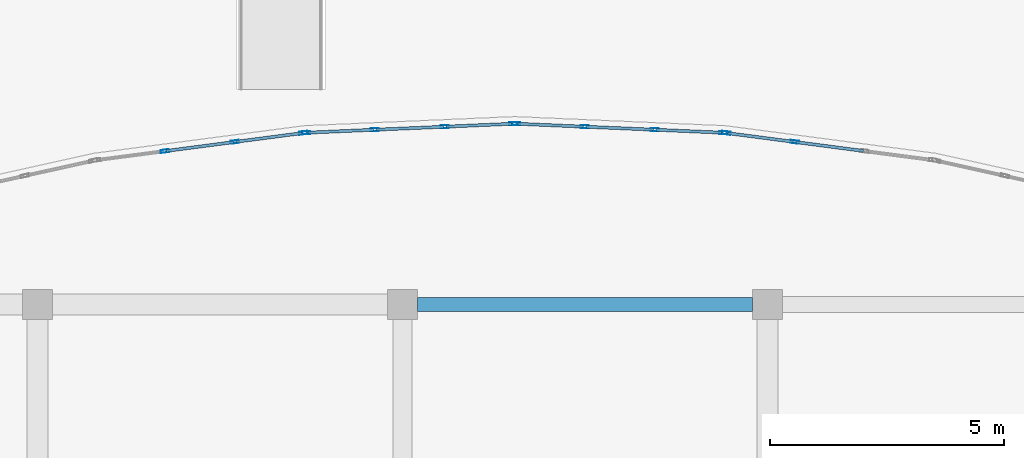
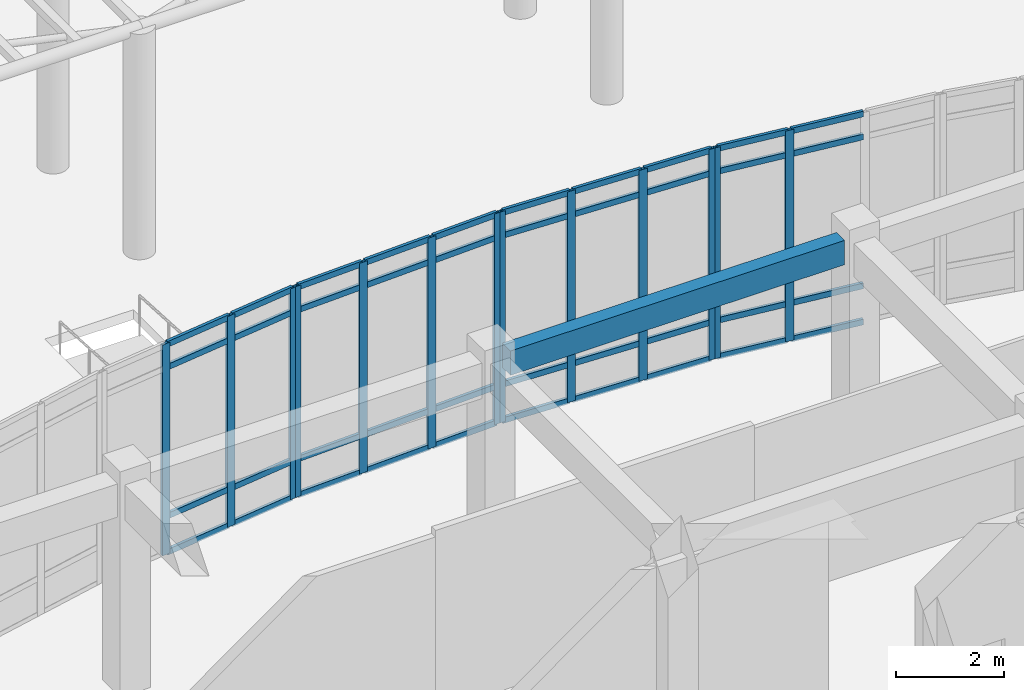
# One storey, part 32 of 121: 53 members, 1 beam, 4 elements without a shape of their own.
"""IFC4 building model written with IfcOpenShell, lengths in metres."""

from ifc_helpers import new_model, si_unit, direction, frame, origin, origin_2d, place, context, subcontext, project, spatial, rectangle, hollow_rectangle, extrude, material, layer, layer_set, material_profile, profile_set, type_object, element, aggregate, save


model = new_model("IFC4")

# Units and contexts
model_context = context("Model", 3, precision=1e-05, world=origin(), true_north=direction((0.0, 1.0)))
body_context = subcontext(model_context, "Body", "Model", "MODEL_VIEW")
ifc_project = project(units=[si_unit("LENGTHUNIT", "METRE"), si_unit("AREAUNIT", "SQUARE_METRE"), si_unit("VOLUMEUNIT", "CUBIC_METRE"), si_unit("PLANEANGLEUNIT", "RADIAN"), si_unit("MASSUNIT", "GRAM", prefix="KILO")], contexts=[model_context])

# Site, building, storey
site_placement = place(None, origin())
site = spatial("IfcSite", under=ifc_project, at=site_placement, CompositionType="ELEMENT")
building_placement = place(site_placement, origin())
building = spatial("IfcBuilding", under=site, at=building_placement, Name="Valcora Specialist Clinic", CompositionType="ELEMENT")
storey_placement = place(building_placement, origin())
storey = spatial("IfcBuildingStorey", under=building, at=storey_placement, Name="L00", CompositionType="ELEMENT", Elevation=0.0)

# Beam
ifc_material_1 = material(Name="Concrete C40/50", Category="concrete")
ifc_material_profile_1 = material_profile(ifc_material_1, rectangle(XDim=0.300048828125, YDim=0.550048828125, at=origin_2d()), Name="RC-BM-300X550")
ifc_profile_set_1 = profile_set([ifc_material_profile_1], Name="Concrete C40/50")
beam_type = type_object("IfcBeamType", Name="TY-BM-RC300X550", PredefinedType="BEAM", material=ifc_profile_set_1)
beam_placement = place(storey_placement, frame((84.925048828125, 22.0, 4.4951171875), z_axis=(1.0, 0.0, 0.0), x_axis=(0.0, 1.0, 0.0)))
element("IfcBeam", 1, at=beam_placement, inside=storey, type_object=beam_type, Name="Beam BM-L00-1255", PredefinedType="BEAM", context=body_context, shape_type="SweptSolid", body=[
    extrude(rectangle(XDim=0.300048828125, YDim=0.550048828125, at=origin_2d()), origin(), (0.0, 0.0, 1.0), 7.14990234375),
])

# Curtain wall, members
ifc_material_2 = material(Name="Anodized Bronze Aluminium 6063-T6", Category="aluminium")
ifc_layer = layer(ifc_material_2, 0.175048828125)
ifc_layer_set = layer_set([ifc_layer], Name="Anodized Bronze Aluminium 6063-T6")
curtain_wall_type = type_object("IfcCurtainWallType", Name="TY-CW-ARC51", PredefinedType="NOTDEFINED", material=ifc_layer_set)
curtain_wall_1_placement = place(storey_placement, origin())
curtain_wall_1 = element("IfcCurtainWall", 2, at=curtain_wall_1_placement, inside=storey, type_object=curtain_wall_type, Name="Curtain wall CW-L00-188", PredefinedType="NOTDEFINED")
ifc_material_profile_2 = material_profile(ifc_material_2, hollow_rectangle(XDim=0.06494140625, YDim=0.175048828125, WallThickness=0.00390625, at=origin_2d()), Name="AL-MUL-65X175")
ifc_profile_set_2 = profile_set([ifc_material_profile_2], Name="Anodized Bronze Aluminium 6063-T6")
member_type_1 = type_object("IfcMemberType", Name="TY-CWM-65X175", PredefinedType="MULLION", material=ifc_profile_set_2)
member_1_placement = place(storey_placement, frame((79.521728515625, 25.2783203125, 0.0), z_axis=(0.0, 0.0, 1.0), x_axis=(-0.129999492259, 0.991514060421, 0.0)))
member_1 = element("IfcMember", 3, at=member_1_placement, type_object=member_type_1, Name="CW-ARC-51 mullion 2", PredefinedType="MULLION", context=body_context, shape_type="SweptSolid", body=[
    extrude(hollow_rectangle(XDim=0.06494140625, YDim=0.175048828125, WallThickness=0.00390625, at=origin_2d()), origin(), (0.0, 0.0, 1.0), 4.77001953125),
])
member_2_placement = place(storey_placement, frame((81.017333984375, 25.474365234375, 0.0), z_axis=(0.0, 0.0, 1.0), x_axis=(-0.129999492259, 0.991514060421, 0.0)))
member_2 = element("IfcMember", 4, at=member_2_placement, type_object=member_type_1, Name="CW-ARC-51 mullion 3", PredefinedType="MULLION", context=body_context, shape_type="SweptSolid", body=[
    extrude(hollow_rectangle(XDim=0.06494140625, YDim=0.175048828125, WallThickness=0.00390625, at=origin_2d()), origin(), (0.0, 0.0, 1.0), 4.77001953125),
])
member_3_placement = place(storey_placement, frame((82.480712890625, 25.666259765625, 0.0), z_axis=(0.0, 0.0, 1.0), x_axis=(-0.129999492259, 0.991514060421, 0.0)))
member_3 = element("IfcMember", 5, at=member_3_placement, type_object=member_type_1, Name="CW-ARC-51 mullion 4", PredefinedType="MULLION", context=body_context, shape_type="SweptSolid", body=[
    extrude(hollow_rectangle(XDim=0.06494140625, YDim=0.175048828125, WallThickness=0.00390625, at=origin_2d()), origin(), (0.0, 0.0, 1.0), 4.77001953125),
])

curtain_wall_2_placement = place(storey_placement, origin())
curtain_wall_2 = element("IfcCurtainWall", 6, at=curtain_wall_2_placement, inside=storey, type_object=curtain_wall_type, Name="Curtain wall CW-L00-189", PredefinedType="NOTDEFINED")
member_4_placement = place(storey_placement, frame((82.54541015625, 25.671875, 0.0), z_axis=(0.0, 0.0, 1.0), x_axis=(-0.043306780525, 0.999061821291, 0.0)))
member_4 = element("IfcMember", 7, at=member_4_placement, type_object=member_type_1, Name="CW-ARC-51 mullion 1", PredefinedType="MULLION", context=body_context, shape_type="SweptSolid", body=[
    extrude(hollow_rectangle(XDim=0.06494140625, YDim=0.175048828125, WallThickness=0.00390625, at=origin_2d()), origin(), (0.0, 0.0, 1.0), 4.77001953125),
])
member_5_placement = place(storey_placement, frame((84.008544921875, 25.7353515625, 0.0), z_axis=(0.0, 0.0, 1.0), x_axis=(-0.043306780525, 0.999061821291, 0.0)))
member_5 = element("IfcMember", 8, at=member_5_placement, type_object=member_type_1, Name="CW-ARC-51 mullion 2", PredefinedType="MULLION", context=body_context, shape_type="SweptSolid", body=[
    extrude(hollow_rectangle(XDim=0.06494140625, YDim=0.175048828125, WallThickness=0.00390625, at=origin_2d()), origin(), (0.0, 0.0, 1.0), 4.77001953125),
])
member_6_placement = place(storey_placement, frame((85.50439453125, 25.800048828125, 0.0), z_axis=(0.0, 0.0, 1.0), x_axis=(-0.043306780525, 0.999061821291, 0.0)))
member_6 = element("IfcMember", 9, at=member_6_placement, type_object=member_type_1, Name="CW-ARC-51 mullion 3", PredefinedType="MULLION", context=body_context, shape_type="SweptSolid", body=[
    extrude(hollow_rectangle(XDim=0.06494140625, YDim=0.175048828125, WallThickness=0.00390625, at=origin_2d()), origin(), (0.0, 0.0, 1.0), 4.77001953125),
])
member_7_placement = place(storey_placement, frame((86.967529296875, 25.863525390625, 0.0), z_axis=(0.0, 0.0, 1.0), x_axis=(-0.043306780525, 0.999061821291, 0.0)))
member_7 = element("IfcMember", 10, at=member_7_placement, type_object=member_type_1, Name="CW-ARC-51 mullion 4", PredefinedType="MULLION", context=body_context, shape_type="SweptSolid", body=[
    extrude(hollow_rectangle(XDim=0.06494140625, YDim=0.175048828125, WallThickness=0.00390625, at=origin_2d()), origin(), (0.0, 0.0, 1.0), 4.77001953125),
])

curtain_wall_3_placement = place(storey_placement, origin())
curtain_wall_3 = element("IfcCurtainWall", 11, at=curtain_wall_3_placement, inside=storey, type_object=curtain_wall_type, Name="Curtain wall CW-L00-190", PredefinedType="NOTDEFINED")
member_8_placement = place(storey_placement, frame((87.032470703125, 25.863525390625, 0.0), z_axis=(0.0, 0.0, 1.0), x_axis=(0.043306780525, 0.999061821291, 0.0)))
member_8 = element("IfcMember", 12, at=member_8_placement, type_object=member_type_1, Name="CW-ARC-51 mullion 1", PredefinedType="MULLION", context=body_context, shape_type="SweptSolid", body=[
    extrude(hollow_rectangle(XDim=0.06494140625, YDim=0.175048828125, WallThickness=0.00390625, at=origin_2d()), origin(), (0.0, 0.0, 1.0), 4.77001953125),
])
member_9_placement = place(storey_placement, frame((88.49560546875, 25.800048828125, 0.0), z_axis=(0.0, 0.0, 1.0), x_axis=(0.043306780525, 0.999061821291, 0.0)))
member_9 = element("IfcMember", 13, at=member_9_placement, type_object=member_type_1, Name="CW-ARC-51 mullion 2", PredefinedType="MULLION", context=body_context, shape_type="SweptSolid", body=[
    extrude(hollow_rectangle(XDim=0.06494140625, YDim=0.175048828125, WallThickness=0.00390625, at=origin_2d()), origin(), (0.0, 0.0, 1.0), 4.77001953125),
])
member_10_placement = place(storey_placement, frame((89.991455078125, 25.7353515625, 0.0), z_axis=(0.0, 0.0, 1.0), x_axis=(0.043306780525, 0.999061821291, 0.0)))
member_10 = element("IfcMember", 14, at=member_10_placement, type_object=member_type_1, Name="CW-ARC-51 mullion 3", PredefinedType="MULLION", context=body_context, shape_type="SweptSolid", body=[
    extrude(hollow_rectangle(XDim=0.06494140625, YDim=0.175048828125, WallThickness=0.00390625, at=origin_2d()), origin(), (0.0, 0.0, 1.0), 4.77001953125),
])
member_11_placement = place(storey_placement, frame((91.45458984375, 25.671875, 0.0), z_axis=(0.0, 0.0, 1.0), x_axis=(0.043306780525, 0.999061821291, 0.0)))
member_11 = element("IfcMember", 15, at=member_11_placement, type_object=member_type_1, Name="CW-ARC-51 mullion 4", PredefinedType="MULLION", context=body_context, shape_type="SweptSolid", body=[
    extrude(hollow_rectangle(XDim=0.06494140625, YDim=0.175048828125, WallThickness=0.00390625, at=origin_2d()), origin(), (0.0, 0.0, 1.0), 4.77001953125),
])

curtain_wall_4_placement = place(storey_placement, origin())
curtain_wall_4 = element("IfcCurtainWall", 16, at=curtain_wall_4_placement, inside=storey, type_object=curtain_wall_type, Name="Curtain wall CW-L00-191", PredefinedType="NOTDEFINED")
member_12_placement = place(storey_placement, frame((91.519287109375, 25.666259765625, 0.0), z_axis=(0.0, 0.0, 1.0), x_axis=(0.129999492259, 0.991514060421, 0.0)))
member_12 = element("IfcMember", 17, at=member_12_placement, type_object=member_type_1, Name="CW-ARC-51 mullion 1", PredefinedType="MULLION", context=body_context, shape_type="SweptSolid", body=[
    extrude(hollow_rectangle(XDim=0.06494140625, YDim=0.175048828125, WallThickness=0.00390625, at=origin_2d()), origin(), (0.0, 0.0, 1.0), 4.77001953125),
])
member_13_placement = place(storey_placement, frame((92.982666015625, 25.474365234375, 0.0), z_axis=(0.0, 0.0, 1.0), x_axis=(0.129999492259, 0.991514060421, 0.0)))
member_13 = element("IfcMember", 18, at=member_13_placement, type_object=member_type_1, Name="CW-ARC-51 mullion 2", PredefinedType="MULLION", context=body_context, shape_type="SweptSolid", body=[
    extrude(hollow_rectangle(XDim=0.06494140625, YDim=0.175048828125, WallThickness=0.00390625, at=origin_2d()), origin(), (0.0, 0.0, 1.0), 4.77001953125),
])

# Member
ifc_material_profile_3 = material_profile(ifc_material_2, hollow_rectangle(XDim=0.06494140625, YDim=0.1298828125, WallThickness=0.00390625, at=origin_2d()), Name="AL-TRN-65X130")
ifc_profile_set_3 = profile_set([ifc_material_profile_3], Name="Anodized Bronze Aluminium 6063-T6")
member_type_2 = type_object("IfcMemberType", Name="TY-CWT-65X130", PredefinedType="USERDEFINED", material=ifc_profile_set_3)
member_14_placement = place(storey_placement, frame((79.553955078125, 25.282470703125, 0.032470703125), z_axis=(0.99152668223, 0.129903188665, 0.0), x_axis=(-0.129903188665, 0.99152668223, 0.0)))
member_14 = element("IfcMember", 19, at=member_14_placement, type_object=member_type_2, Name="CW-ARC-51 transom 2.1", ObjectType="TRANSOM", PredefinedType="USERDEFINED", context=body_context, shape_type="SweptSolid", body=[
    extrude(hollow_rectangle(XDim=0.06494140625, YDim=0.1298828125, WallThickness=0.00390625, at=origin_2d()), origin(), (0.0, 0.0, 1.0), 1.443359375),
])

member_15_placement = place(storey_placement, frame((79.553955078125, 25.282470703125, 0.85009765625), z_axis=(0.99152668223, 0.129903188665, 0.0), x_axis=(-0.129903188665, 0.99152668223, 0.0)))
member_15 = element("IfcMember", 20, at=member_15_placement, type_object=member_type_2, Name="CW-ARC-51 transom 2.2", ObjectType="TRANSOM", PredefinedType="USERDEFINED", context=body_context, shape_type="SweptSolid", body=[
    extrude(hollow_rectangle(XDim=0.06494140625, YDim=0.1298828125, WallThickness=0.00390625, at=origin_2d()), origin(), (0.0, 0.0, 1.0), 1.443359375),
])

member_16_placement = place(storey_placement, frame((79.553955078125, 25.282470703125, 4.219970703125), z_axis=(0.99152668223, 0.129903188665, 0.0), x_axis=(-0.129903188665, 0.99152668223, 0.0)))
member_16 = element("IfcMember", 21, at=member_16_placement, type_object=member_type_2, Name="CW-ARC-51 transom 2.3", ObjectType="TRANSOM", PredefinedType="USERDEFINED", context=body_context, shape_type="SweptSolid", body=[
    extrude(hollow_rectangle(XDim=0.06494140625, YDim=0.1298828125, WallThickness=0.00390625, at=origin_2d()), origin(), (0.0, 0.0, 1.0), 1.443359375),
])

member_17_placement = place(storey_placement, frame((79.553955078125, 25.282470703125, 4.737548828125), z_axis=(0.99152668223, 0.129903188665, 0.0), x_axis=(-0.129903188665, 0.99152668223, 0.0)))
member_17 = element("IfcMember", 22, at=member_17_placement, type_object=member_type_2, Name="CW-ARC-51 transom 2.4", ObjectType="TRANSOM", PredefinedType="USERDEFINED", context=body_context, shape_type="SweptSolid", body=[
    extrude(hollow_rectangle(XDim=0.06494140625, YDim=0.1298828125, WallThickness=0.00390625, at=origin_2d()), origin(), (0.0, 0.0, 1.0), 1.443359375),
])

member_18_placement = place(storey_placement, frame((81.049560546875, 25.478515625, 0.032470703125), z_axis=(0.991520133728, 0.129953162379, 0.0), x_axis=(-0.129953162379, 0.991520133728, 0.0)))
member_18 = element("IfcMember", 23, at=member_18_placement, type_object=member_type_2, Name="CW-ARC-51 transom 3.1", ObjectType="TRANSOM", PredefinedType="USERDEFINED", context=body_context, shape_type="SweptSolid", body=[
    extrude(hollow_rectangle(XDim=0.06494140625, YDim=0.1298828125, WallThickness=0.00390625, at=origin_2d()), origin(), (0.0, 0.0, 1.0), 1.410888671875),
])

member_19_placement = place(storey_placement, frame((81.049560546875, 25.478515625, 0.85009765625), z_axis=(0.991520133728, 0.129953162379, 0.0), x_axis=(-0.129953162379, 0.991520133728, 0.0)))
member_19 = element("IfcMember", 24, at=member_19_placement, type_object=member_type_2, Name="CW-ARC-51 transom 3.2", ObjectType="TRANSOM", PredefinedType="USERDEFINED", context=body_context, shape_type="SweptSolid", body=[
    extrude(hollow_rectangle(XDim=0.06494140625, YDim=0.1298828125, WallThickness=0.00390625, at=origin_2d()), origin(), (0.0, 0.0, 1.0), 1.410888671875),
])

member_20_placement = place(storey_placement, frame((81.049560546875, 25.478515625, 4.219970703125), z_axis=(0.991520133728, 0.129953162379, 0.0), x_axis=(-0.129953162379, 0.991520133728, 0.0)))
member_20 = element("IfcMember", 25, at=member_20_placement, type_object=member_type_2, Name="CW-ARC-51 transom 3.3", ObjectType="TRANSOM", PredefinedType="USERDEFINED", context=body_context, shape_type="SweptSolid", body=[
    extrude(hollow_rectangle(XDim=0.06494140625, YDim=0.1298828125, WallThickness=0.00390625, at=origin_2d()), origin(), (0.0, 0.0, 1.0), 1.410888671875),
])

member_21_placement = place(storey_placement, frame((81.049560546875, 25.478515625, 4.737548828125), z_axis=(0.991520133728, 0.129953162379, 0.0), x_axis=(-0.129953162379, 0.991520133728, 0.0)))
member_21 = element("IfcMember", 26, at=member_21_placement, type_object=member_type_2, Name="CW-ARC-51 transom 3.4", ObjectType="TRANSOM", PredefinedType="USERDEFINED", context=body_context, shape_type="SweptSolid", body=[
    extrude(hollow_rectangle(XDim=0.06494140625, YDim=0.1298828125, WallThickness=0.00390625, at=origin_2d()), origin(), (0.0, 0.0, 1.0), 1.410888671875),
])

aggregate(curtain_wall_1, [member_1, member_2, member_3, member_14, member_15, member_16, member_17, member_18, member_19, member_20, member_21])

member_22_placement = place(storey_placement, frame((82.577880859375, 25.673095703125, 0.032470703125), z_axis=(0.999056487414, 0.043429655266, 0.0), x_axis=(-0.043429655266, 0.999056487414, 0.0)))
member_22 = element("IfcMember", 27, at=member_22_placement, type_object=member_type_2, Name="CW-ARC-51 transom 1.1", ObjectType="TRANSOM", PredefinedType="USERDEFINED", context=body_context, shape_type="SweptSolid", body=[
    extrude(hollow_rectangle(XDim=0.06494140625, YDim=0.1298828125, WallThickness=0.00390625, at=origin_2d()), origin(), (0.0, 0.0, 1.0), 1.399658203125),
])

member_23_placement = place(storey_placement, frame((82.577880859375, 25.673095703125, 0.85009765625), z_axis=(0.999056487414, 0.043429655266, 0.0), x_axis=(-0.043429655266, 0.999056487414, 0.0)))
member_23 = element("IfcMember", 28, at=member_23_placement, type_object=member_type_2, Name="CW-ARC-51 transom 1.2", ObjectType="TRANSOM", PredefinedType="USERDEFINED", context=body_context, shape_type="SweptSolid", body=[
    extrude(hollow_rectangle(XDim=0.06494140625, YDim=0.1298828125, WallThickness=0.00390625, at=origin_2d()), origin(), (0.0, 0.0, 1.0), 1.399658203125),
])

member_24_placement = place(storey_placement, frame((82.577880859375, 25.673095703125, 4.219970703125), z_axis=(0.999056487414, 0.043429655266, 0.0), x_axis=(-0.043429655266, 0.999056487414, 0.0)))
member_24 = element("IfcMember", 29, at=member_24_placement, type_object=member_type_2, Name="CW-ARC-51 transom 1.3", ObjectType="TRANSOM", PredefinedType="USERDEFINED", context=body_context, shape_type="SweptSolid", body=[
    extrude(hollow_rectangle(XDim=0.06494140625, YDim=0.1298828125, WallThickness=0.00390625, at=origin_2d()), origin(), (0.0, 0.0, 1.0), 1.399658203125),
])

member_25_placement = place(storey_placement, frame((82.577880859375, 25.673095703125, 4.737548828125), z_axis=(0.999056487414, 0.043429655266, 0.0), x_axis=(-0.043429655266, 0.999056487414, 0.0)))
member_25 = element("IfcMember", 30, at=member_25_placement, type_object=member_type_2, Name="CW-ARC-51 transom 1.4", ObjectType="TRANSOM", PredefinedType="USERDEFINED", context=body_context, shape_type="SweptSolid", body=[
    extrude(hollow_rectangle(XDim=0.06494140625, YDim=0.1298828125, WallThickness=0.00390625, at=origin_2d()), origin(), (0.0, 0.0, 1.0), 1.399658203125),
])

member_26_placement = place(storey_placement, frame((84.041015625, 25.736572265625, 0.032470703125), z_axis=(0.999062259276, 0.043296675287, 0.0), x_axis=(-0.043296675287, 0.999062259276, 0.0)))
member_26 = element("IfcMember", 31, at=member_26_placement, type_object=member_type_2, Name="CW-ARC-51 transom 2.1", ObjectType="TRANSOM", PredefinedType="USERDEFINED", context=body_context, shape_type="SweptSolid", body=[
    extrude(hollow_rectangle(XDim=0.06494140625, YDim=0.1298828125, WallThickness=0.00390625, at=origin_2d()), origin(), (0.0, 0.0, 1.0), 1.432373046875),
])

member_27_placement = place(storey_placement, frame((84.041015625, 25.736572265625, 0.85009765625), z_axis=(0.999062259276, 0.043296675287, 0.0), x_axis=(-0.043296675287, 0.999062259276, 0.0)))
member_27 = element("IfcMember", 32, at=member_27_placement, type_object=member_type_2, Name="CW-ARC-51 transom 2.2", ObjectType="TRANSOM", PredefinedType="USERDEFINED", context=body_context, shape_type="SweptSolid", body=[
    extrude(hollow_rectangle(XDim=0.06494140625, YDim=0.1298828125, WallThickness=0.00390625, at=origin_2d()), origin(), (0.0, 0.0, 1.0), 1.432373046875),
])

member_28_placement = place(storey_placement, frame((84.041015625, 25.736572265625, 4.219970703125), z_axis=(0.999062259276, 0.043296675287, 0.0), x_axis=(-0.043296675287, 0.999062259276, 0.0)))
member_28 = element("IfcMember", 33, at=member_28_placement, type_object=member_type_2, Name="CW-ARC-51 transom 2.3", ObjectType="TRANSOM", PredefinedType="USERDEFINED", context=body_context, shape_type="SweptSolid", body=[
    extrude(hollow_rectangle(XDim=0.06494140625, YDim=0.1298828125, WallThickness=0.00390625, at=origin_2d()), origin(), (0.0, 0.0, 1.0), 1.432373046875),
])

member_29_placement = place(storey_placement, frame((84.041015625, 25.736572265625, 4.737548828125), z_axis=(0.999062259276, 0.043296675287, 0.0), x_axis=(-0.043296675287, 0.999062259276, 0.0)))
member_29 = element("IfcMember", 34, at=member_29_placement, type_object=member_type_2, Name="CW-ARC-51 transom 2.4", ObjectType="TRANSOM", PredefinedType="USERDEFINED", context=body_context, shape_type="SweptSolid", body=[
    extrude(hollow_rectangle(XDim=0.06494140625, YDim=0.1298828125, WallThickness=0.00390625, at=origin_2d()), origin(), (0.0, 0.0, 1.0), 1.432373046875),
])

member_30_placement = place(storey_placement, frame((85.536865234375, 25.801513671875, 0.032470703125), z_axis=(0.999063713567, 0.043263104761, 0.0), x_axis=(-0.043263104761, 0.999063713567, 0.0)))
member_30 = element("IfcMember", 35, at=member_30_placement, type_object=member_type_2, Name="CW-ARC-51 transom 3.1", ObjectType="TRANSOM", PredefinedType="USERDEFINED", context=body_context, shape_type="SweptSolid", body=[
    extrude(hollow_rectangle(XDim=0.06494140625, YDim=0.1298828125, WallThickness=0.00390625, at=origin_2d()), origin(), (0.0, 0.0, 1.0), 1.3994140625),
])

member_31_placement = place(storey_placement, frame((85.536865234375, 25.801513671875, 0.85009765625), z_axis=(0.999063713567, 0.043263104761, 0.0), x_axis=(-0.043263104761, 0.999063713567, 0.0)))
member_31 = element("IfcMember", 36, at=member_31_placement, type_object=member_type_2, Name="CW-ARC-51 transom 3.2", ObjectType="TRANSOM", PredefinedType="USERDEFINED", context=body_context, shape_type="SweptSolid", body=[
    extrude(hollow_rectangle(XDim=0.06494140625, YDim=0.1298828125, WallThickness=0.00390625, at=origin_2d()), origin(), (0.0, 0.0, 1.0), 1.3994140625),
])

member_32_placement = place(storey_placement, frame((85.536865234375, 25.801513671875, 4.219970703125), z_axis=(0.999063713567, 0.043263104761, 0.0), x_axis=(-0.043263104761, 0.999063713567, 0.0)))
member_32 = element("IfcMember", 37, at=member_32_placement, type_object=member_type_2, Name="CW-ARC-51 transom 3.3", ObjectType="TRANSOM", PredefinedType="USERDEFINED", context=body_context, shape_type="SweptSolid", body=[
    extrude(hollow_rectangle(XDim=0.06494140625, YDim=0.1298828125, WallThickness=0.00390625, at=origin_2d()), origin(), (0.0, 0.0, 1.0), 1.3994140625),
])

member_33_placement = place(storey_placement, frame((85.536865234375, 25.801513671875, 4.737548828125), z_axis=(0.999063713567, 0.043263104761, 0.0), x_axis=(-0.043263104761, 0.999063713567, 0.0)))
member_33 = element("IfcMember", 38, at=member_33_placement, type_object=member_type_2, Name="CW-ARC-51 transom 3.4", ObjectType="TRANSOM", PredefinedType="USERDEFINED", context=body_context, shape_type="SweptSolid", body=[
    extrude(hollow_rectangle(XDim=0.06494140625, YDim=0.1298828125, WallThickness=0.00390625, at=origin_2d()), origin(), (0.0, 0.0, 1.0), 1.3994140625),
])

aggregate(curtain_wall_2, [member_4, member_5, member_6, member_7, member_22, member_23, member_24, member_25, member_26, member_27, member_28, member_29, member_30, member_31, member_32, member_33])

member_34_placement = place(storey_placement, frame((87.06494140625, 25.862060546875, 0.032470703125), z_axis=(0.999063713567, -0.043263104761, 0.0), x_axis=(0.043263104761, 0.999063713567, 0.0)))
member_34 = element("IfcMember", 39, at=member_34_placement, type_object=member_type_2, Name="CW-ARC-51 transom 1.1", ObjectType="TRANSOM", PredefinedType="USERDEFINED", context=body_context, shape_type="SweptSolid", body=[
    extrude(hollow_rectangle(XDim=0.06494140625, YDim=0.1298828125, WallThickness=0.00390625, at=origin_2d()), origin(), (0.0, 0.0, 1.0), 1.3994140625),
])

member_35_placement = place(storey_placement, frame((87.06494140625, 25.862060546875, 0.85009765625), z_axis=(0.999063713567, -0.043263104761, 0.0), x_axis=(0.043263104761, 0.999063713567, 0.0)))
member_35 = element("IfcMember", 40, at=member_35_placement, type_object=member_type_2, Name="CW-ARC-51 transom 1.2", ObjectType="TRANSOM", PredefinedType="USERDEFINED", context=body_context, shape_type="SweptSolid", body=[
    extrude(hollow_rectangle(XDim=0.06494140625, YDim=0.1298828125, WallThickness=0.00390625, at=origin_2d()), origin(), (0.0, 0.0, 1.0), 1.3994140625),
])

member_36_placement = place(storey_placement, frame((87.06494140625, 25.862060546875, 4.219970703125), z_axis=(0.999063713567, -0.043263104761, 0.0), x_axis=(0.043263104761, 0.999063713567, 0.0)))
member_36 = element("IfcMember", 41, at=member_36_placement, type_object=member_type_2, Name="CW-ARC-51 transom 1.3", ObjectType="TRANSOM", PredefinedType="USERDEFINED", context=body_context, shape_type="SweptSolid", body=[
    extrude(hollow_rectangle(XDim=0.06494140625, YDim=0.1298828125, WallThickness=0.00390625, at=origin_2d()), origin(), (0.0, 0.0, 1.0), 1.3994140625),
])

member_37_placement = place(storey_placement, frame((87.06494140625, 25.862060546875, 4.737548828125), z_axis=(0.999063713567, -0.043263104761, 0.0), x_axis=(0.043263104761, 0.999063713567, 0.0)))
member_37 = element("IfcMember", 42, at=member_37_placement, type_object=member_type_2, Name="CW-ARC-51 transom 1.4", ObjectType="TRANSOM", PredefinedType="USERDEFINED", context=body_context, shape_type="SweptSolid", body=[
    extrude(hollow_rectangle(XDim=0.06494140625, YDim=0.1298828125, WallThickness=0.00390625, at=origin_2d()), origin(), (0.0, 0.0, 1.0), 1.3994140625),
])

member_38_placement = place(storey_placement, frame((88.528076171875, 25.798583984375, 0.032470703125), z_axis=(0.999062259276, -0.043296675287, 0.0), x_axis=(0.043296675287, 0.999062259276, 0.0)))
member_38 = element("IfcMember", 43, at=member_38_placement, type_object=member_type_2, Name="CW-ARC-51 transom 2.1", ObjectType="TRANSOM", PredefinedType="USERDEFINED", context=body_context, shape_type="SweptSolid", body=[
    extrude(hollow_rectangle(XDim=0.06494140625, YDim=0.1298828125, WallThickness=0.00390625, at=origin_2d()), origin(), (0.0, 0.0, 1.0), 1.432373046875),
])

member_39_placement = place(storey_placement, frame((88.528076171875, 25.798583984375, 0.85009765625), z_axis=(0.999062259276, -0.043296675287, 0.0), x_axis=(0.043296675287, 0.999062259276, 0.0)))
member_39 = element("IfcMember", 44, at=member_39_placement, type_object=member_type_2, Name="CW-ARC-51 transom 2.2", ObjectType="TRANSOM", PredefinedType="USERDEFINED", context=body_context, shape_type="SweptSolid", body=[
    extrude(hollow_rectangle(XDim=0.06494140625, YDim=0.1298828125, WallThickness=0.00390625, at=origin_2d()), origin(), (0.0, 0.0, 1.0), 1.432373046875),
])

member_40_placement = place(storey_placement, frame((88.528076171875, 25.798583984375, 4.219970703125), z_axis=(0.999062259276, -0.043296675287, 0.0), x_axis=(0.043296675287, 0.999062259276, 0.0)))
member_40 = element("IfcMember", 45, at=member_40_placement, type_object=member_type_2, Name="CW-ARC-51 transom 2.3", ObjectType="TRANSOM", PredefinedType="USERDEFINED", context=body_context, shape_type="SweptSolid", body=[
    extrude(hollow_rectangle(XDim=0.06494140625, YDim=0.1298828125, WallThickness=0.00390625, at=origin_2d()), origin(), (0.0, 0.0, 1.0), 1.432373046875),
])

member_41_placement = place(storey_placement, frame((88.528076171875, 25.798583984375, 4.737548828125), z_axis=(0.999062259276, -0.043296675287, 0.0), x_axis=(0.043296675287, 0.999062259276, 0.0)))
member_41 = element("IfcMember", 46, at=member_41_placement, type_object=member_type_2, Name="CW-ARC-51 transom 2.4", ObjectType="TRANSOM", PredefinedType="USERDEFINED", context=body_context, shape_type="SweptSolid", body=[
    extrude(hollow_rectangle(XDim=0.06494140625, YDim=0.1298828125, WallThickness=0.00390625, at=origin_2d()), origin(), (0.0, 0.0, 1.0), 1.432373046875),
])

member_42_placement = place(storey_placement, frame((90.023681640625, 25.73388671875, 0.032470703125), z_axis=(0.999056487414, -0.043429655266, 0.0), x_axis=(0.043429655266, 0.999056487414, 0.0)))
member_42 = element("IfcMember", 47, at=member_42_placement, type_object=member_type_2, Name="CW-ARC-51 transom 3.1", ObjectType="TRANSOM", PredefinedType="USERDEFINED", context=body_context, shape_type="SweptSolid", body=[
    extrude(hollow_rectangle(XDim=0.06494140625, YDim=0.1298828125, WallThickness=0.00390625, at=origin_2d()), origin(), (0.0, 0.0, 1.0), 1.399658203125),
])

member_43_placement = place(storey_placement, frame((90.023681640625, 25.73388671875, 0.85009765625), z_axis=(0.999056487414, -0.043429655266, 0.0), x_axis=(0.043429655266, 0.999056487414, 0.0)))
member_43 = element("IfcMember", 48, at=member_43_placement, type_object=member_type_2, Name="CW-ARC-51 transom 3.2", ObjectType="TRANSOM", PredefinedType="USERDEFINED", context=body_context, shape_type="SweptSolid", body=[
    extrude(hollow_rectangle(XDim=0.06494140625, YDim=0.1298828125, WallThickness=0.00390625, at=origin_2d()), origin(), (0.0, 0.0, 1.0), 1.399658203125),
])

member_44_placement = place(storey_placement, frame((90.023681640625, 25.73388671875, 4.219970703125), z_axis=(0.999056487414, -0.043429655266, 0.0), x_axis=(0.043429655266, 0.999056487414, 0.0)))
member_44 = element("IfcMember", 49, at=member_44_placement, type_object=member_type_2, Name="CW-ARC-51 transom 3.3", ObjectType="TRANSOM", PredefinedType="USERDEFINED", context=body_context, shape_type="SweptSolid", body=[
    extrude(hollow_rectangle(XDim=0.06494140625, YDim=0.1298828125, WallThickness=0.00390625, at=origin_2d()), origin(), (0.0, 0.0, 1.0), 1.399658203125),
])

member_45_placement = place(storey_placement, frame((90.023681640625, 25.73388671875, 4.737548828125), z_axis=(0.999056487414, -0.043429655266, 0.0), x_axis=(0.043429655266, 0.999056487414, 0.0)))
member_45 = element("IfcMember", 50, at=member_45_placement, type_object=member_type_2, Name="CW-ARC-51 transom 3.4", ObjectType="TRANSOM", PredefinedType="USERDEFINED", context=body_context, shape_type="SweptSolid", body=[
    extrude(hollow_rectangle(XDim=0.06494140625, YDim=0.1298828125, WallThickness=0.00390625, at=origin_2d()), origin(), (0.0, 0.0, 1.0), 1.399658203125),
])

aggregate(curtain_wall_3, [member_8, member_9, member_10, member_11, member_34, member_35, member_36, member_37, member_38, member_39, member_40, member_41, member_42, member_43, member_44, member_45])

member_46_placement = place(storey_placement, frame((91.551513671875, 25.661865234375, 0.032470703125), z_axis=(0.991520133728, -0.129953162379, 0.0), x_axis=(0.129953162379, 0.991520133728, 0.0)))
member_46 = element("IfcMember", 51, at=member_46_placement, type_object=member_type_2, Name="CW-ARC-51 transom 1.1", ObjectType="TRANSOM", PredefinedType="USERDEFINED", context=body_context, shape_type="SweptSolid", body=[
    extrude(hollow_rectangle(XDim=0.06494140625, YDim=0.1298828125, WallThickness=0.00390625, at=origin_2d()), origin(), (0.0, 0.0, 1.0), 1.410888671875),
])

member_47_placement = place(storey_placement, frame((91.551513671875, 25.661865234375, 0.85009765625), z_axis=(0.991520133728, -0.129953162379, 0.0), x_axis=(0.129953162379, 0.991520133728, 0.0)))
member_47 = element("IfcMember", 52, at=member_47_placement, type_object=member_type_2, Name="CW-ARC-51 transom 1.2", ObjectType="TRANSOM", PredefinedType="USERDEFINED", context=body_context, shape_type="SweptSolid", body=[
    extrude(hollow_rectangle(XDim=0.06494140625, YDim=0.1298828125, WallThickness=0.00390625, at=origin_2d()), origin(), (0.0, 0.0, 1.0), 1.410888671875),
])

member_48_placement = place(storey_placement, frame((91.551513671875, 25.661865234375, 4.219970703125), z_axis=(0.991520133728, -0.129953162379, 0.0), x_axis=(0.129953162379, 0.991520133728, 0.0)))
member_48 = element("IfcMember", 53, at=member_48_placement, type_object=member_type_2, Name="CW-ARC-51 transom 1.3", ObjectType="TRANSOM", PredefinedType="USERDEFINED", context=body_context, shape_type="SweptSolid", body=[
    extrude(hollow_rectangle(XDim=0.06494140625, YDim=0.1298828125, WallThickness=0.00390625, at=origin_2d()), origin(), (0.0, 0.0, 1.0), 1.410888671875),
])

member_49_placement = place(storey_placement, frame((91.551513671875, 25.661865234375, 4.737548828125), z_axis=(0.991520133728, -0.129953162379, 0.0), x_axis=(0.129953162379, 0.991520133728, 0.0)))
member_49 = element("IfcMember", 54, at=member_49_placement, type_object=member_type_2, Name="CW-ARC-51 transom 1.4", ObjectType="TRANSOM", PredefinedType="USERDEFINED", context=body_context, shape_type="SweptSolid", body=[
    extrude(hollow_rectangle(XDim=0.06494140625, YDim=0.1298828125, WallThickness=0.00390625, at=origin_2d()), origin(), (0.0, 0.0, 1.0), 1.410888671875),
])

member_50_placement = place(storey_placement, frame((93.014892578125, 25.469970703125, 0.032470703125), z_axis=(0.99152668223, -0.129903188665, 0.0), x_axis=(0.129903188665, 0.99152668223, 0.0)))
member_50 = element("IfcMember", 55, at=member_50_placement, type_object=member_type_2, Name="CW-ARC-51 transom 2.1", ObjectType="TRANSOM", PredefinedType="USERDEFINED", context=body_context, shape_type="SweptSolid", body=[
    extrude(hollow_rectangle(XDim=0.06494140625, YDim=0.1298828125, WallThickness=0.00390625, at=origin_2d()), origin(), (0.0, 0.0, 1.0), 1.443359375),
])

member_51_placement = place(storey_placement, frame((93.014892578125, 25.469970703125, 0.85009765625), z_axis=(0.99152668223, -0.129903188665, 0.0), x_axis=(0.129903188665, 0.99152668223, 0.0)))
member_51 = element("IfcMember", 56, at=member_51_placement, type_object=member_type_2, Name="CW-ARC-51 transom 2.2", ObjectType="TRANSOM", PredefinedType="USERDEFINED", context=body_context, shape_type="SweptSolid", body=[
    extrude(hollow_rectangle(XDim=0.06494140625, YDim=0.1298828125, WallThickness=0.00390625, at=origin_2d()), origin(), (0.0, 0.0, 1.0), 1.443359375),
])

member_52_placement = place(storey_placement, frame((93.014892578125, 25.469970703125, 4.219970703125), z_axis=(0.99152668223, -0.129903188665, 0.0), x_axis=(0.129903188665, 0.99152668223, 0.0)))
member_52 = element("IfcMember", 57, at=member_52_placement, type_object=member_type_2, Name="CW-ARC-51 transom 2.3", ObjectType="TRANSOM", PredefinedType="USERDEFINED", context=body_context, shape_type="SweptSolid", body=[
    extrude(hollow_rectangle(XDim=0.06494140625, YDim=0.1298828125, WallThickness=0.00390625, at=origin_2d()), origin(), (0.0, 0.0, 1.0), 1.443359375),
])

member_53_placement = place(storey_placement, frame((93.014892578125, 25.469970703125, 4.737548828125), z_axis=(0.99152668223, -0.129903188665, 0.0), x_axis=(0.129903188665, 0.99152668223, 0.0)))
member_53 = element("IfcMember", 58, at=member_53_placement, type_object=member_type_2, Name="CW-ARC-51 transom 2.4", ObjectType="TRANSOM", PredefinedType="USERDEFINED", context=body_context, shape_type="SweptSolid", body=[
    extrude(hollow_rectangle(XDim=0.06494140625, YDim=0.1298828125, WallThickness=0.00390625, at=origin_2d()), origin(), (0.0, 0.0, 1.0), 1.443359375),
])

aggregate(curtain_wall_4, [member_12, member_13, member_46, member_47, member_48, member_49, member_50, member_51, member_52, member_53])

save(model, "model.ifc")
